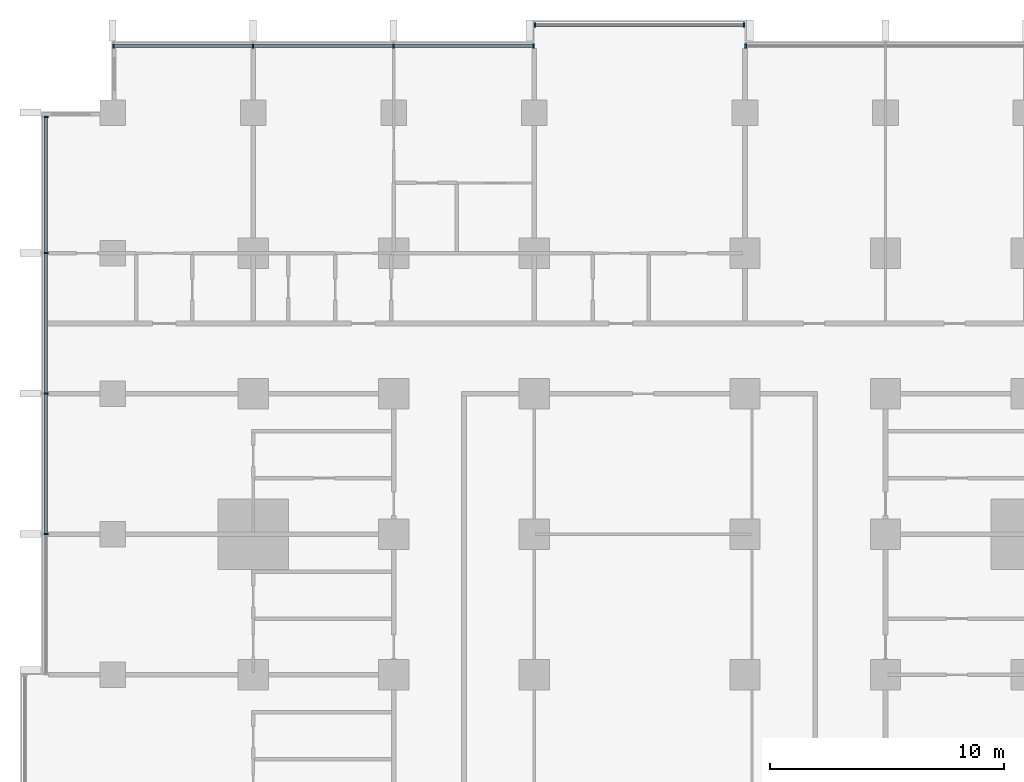
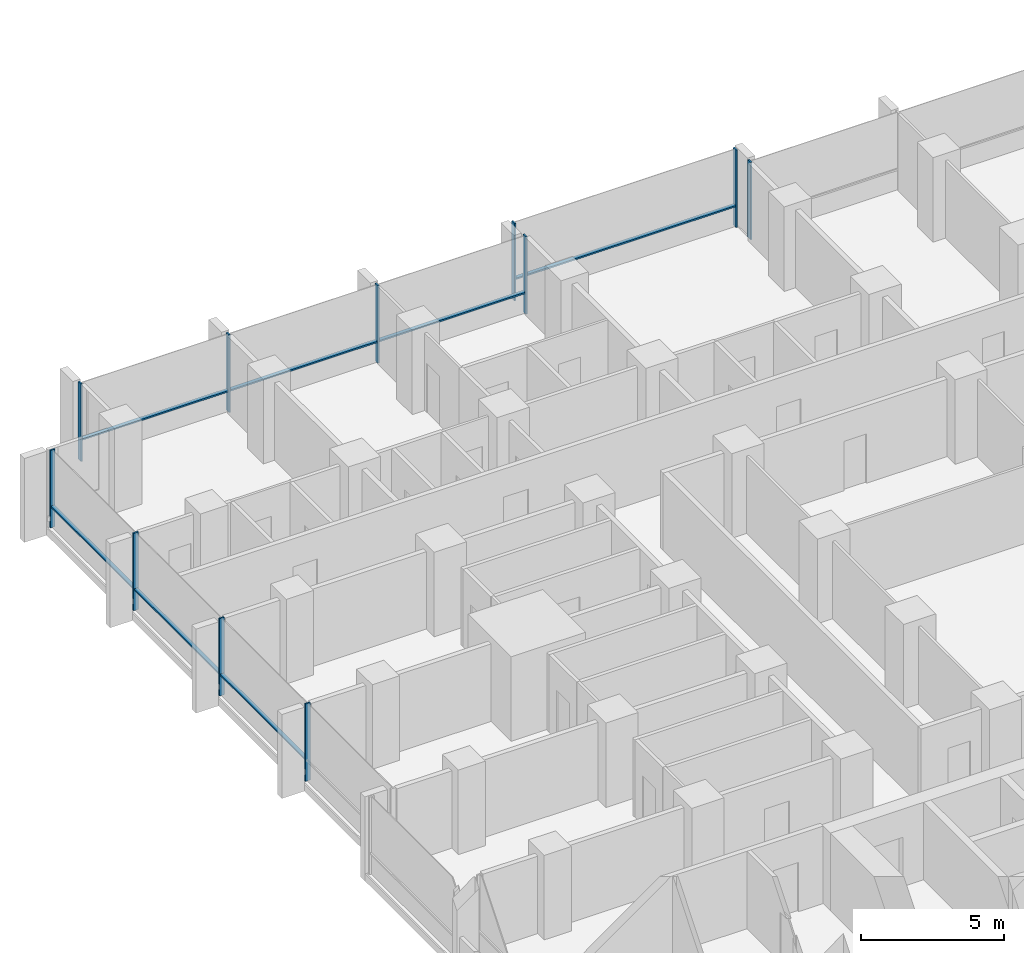
# One storey, part 4 of 17: 18 members, 4 elements without a shape of their own.
"""IFC4 building model written with IfcOpenShell, lengths in metres."""

from ifc_helpers import new_model, si_unit, direction, frame, origin, origin_2d, place, context, subcontext, project, spatial, rectangle, extrude, material, material_profile, profile_set, type_object, element, aggregate, save


model = new_model("IFC4")

# Units and contexts
model_context = context("Model", 3, precision=1e-05, world=origin(), true_north=direction((0.0, 1.0)))
body_context = subcontext(model_context, "Body", "Model", "MODEL_VIEW")
ifc_project = project(units=[si_unit("LENGTHUNIT", "METRE"), si_unit("AREAUNIT", "SQUARE_METRE"), si_unit("VOLUMEUNIT", "CUBIC_METRE"), si_unit("PLANEANGLEUNIT", "RADIAN"), si_unit("MASSUNIT", "GRAM", prefix="KILO")], contexts=[model_context])

# Site, building, storey
site_placement = place(None, origin())
site = spatial("IfcSite", under=ifc_project, at=site_placement, CompositionType="ELEMENT")
building_placement = place(site_placement, origin())
building = spatial("IfcBuilding", under=site, at=building_placement, Name="Finial Court Residences", CompositionType="ELEMENT")
storey_placement = place(building_placement, frame((0.0, 0.0, 64.89990234375)))
storey = spatial("IfcBuildingStorey", under=building, at=storey_placement, Name="L15", CompositionType="ELEMENT", Elevation=64.89990234375)

# Curtain wall, members
ifc_material = material(Name="Bronze anodised aluminium", Category="aluminium")
curtain_wall_type = type_object("IfcCurtainWallType", Name="Unitised curtain wall, lower and middle zones", PredefinedType="NOTDEFINED", material=ifc_material)
curtain_wall_1_placement = place(storey_placement, origin())
curtain_wall_1 = element("IfcCurtainWall", 1, at=curtain_wall_1_placement, inside=storey, type_object=curtain_wall_type, Name="E-L15-CW-N1", PredefinedType="NOTDEFINED")
ifc_material_profile_1 = material_profile(ifc_material, rectangle(XDim=0.199951171875, YDim=0.06494140625, at=origin_2d()), Name="CW1 mullion 65 x 200")
ifc_profile_set_1 = profile_set([ifc_material_profile_1], Name="Bronze anodised aluminium")
member_type_1 = type_object("IfcMemberType", Name="CW1 mullion 65 x 200", PredefinedType="MULLION", material=ifc_profile_set_1)
member_1_placement = place(storey_placement, frame((-22.467529296875, 28.35009765625, 0.0), z_axis=(0.0, 0.0, 1.0), x_axis=(0.0, 1.0, 0.0)))
member_1 = element("IfcMember", 2, at=member_1_placement, type_object=member_type_1, Name="CW1 mullion 1", PredefinedType="MULLION", context=body_context, shape_type="SweptSolid", body=[
    extrude(rectangle(XDim=0.199951171875, YDim=0.06494140625, at=origin_2d()), origin(), (0.0, 0.0, 1.0), 3.300048828125),
])
member_2_placement = place(storey_placement, frame((-16.5, 28.35009765625, 0.0), z_axis=(0.0, 0.0, 1.0), x_axis=(0.0, 1.0, 0.0)))
member_2 = element("IfcMember", 3, at=member_2_placement, type_object=member_type_1, Name="CW1 mullion 2", PredefinedType="MULLION", context=body_context, shape_type="SweptSolid", body=[
    extrude(rectangle(XDim=0.199951171875, YDim=0.06494140625, at=origin_2d()), origin(), (0.0, 0.0, 1.0), 3.300048828125),
])
member_3_placement = place(storey_placement, frame((-10.5, 28.35009765625, 0.0), z_axis=(0.0, 0.0, 1.0), x_axis=(0.0, 1.0, 0.0)))
member_3 = element("IfcMember", 4, at=member_3_placement, type_object=member_type_1, Name="CW1 mullion 3", PredefinedType="MULLION", context=body_context, shape_type="SweptSolid", body=[
    extrude(rectangle(XDim=0.199951171875, YDim=0.06494140625, at=origin_2d()), origin(), (0.0, 0.0, 1.0), 3.300048828125),
])
member_4_placement = place(storey_placement, frame((-4.532470703125, 28.35009765625, 0.0), z_axis=(0.0, 0.0, 1.0), x_axis=(0.0, 1.0, 0.0)))
member_4 = element("IfcMember", 5, at=member_4_placement, type_object=member_type_1, Name="CW1 mullion 4", PredefinedType="MULLION", context=body_context, shape_type="SweptSolid", body=[
    extrude(rectangle(XDim=0.199951171875, YDim=0.06494140625, at=origin_2d()), origin(), (0.0, 0.0, 1.0), 3.300048828125),
])

curtain_wall_2_placement = place(storey_placement, origin())
curtain_wall_2 = element("IfcCurtainWall", 6, at=curtain_wall_2_placement, inside=storey, type_object=curtain_wall_type, Name="E-L15-CW-N2", PredefinedType="NOTDEFINED")
member_5_placement = place(storey_placement, frame((-4.467529296875, 29.25, 0.0), z_axis=(0.0, 0.0, 1.0), x_axis=(0.0, 1.0, 0.0)))
member_5 = element("IfcMember", 7, at=member_5_placement, type_object=member_type_1, Name="CW1 mullion 1", PredefinedType="MULLION", context=body_context, shape_type="SweptSolid", body=[
    extrude(rectangle(XDim=0.199951171875, YDim=0.06494140625, at=origin_2d()), origin(), (0.0, 0.0, 1.0), 3.300048828125),
])
member_6_placement = place(storey_placement, frame((4.467529296875, 29.25, 0.0), z_axis=(0.0, 0.0, 1.0), x_axis=(0.0, 1.0, 0.0)))
member_6 = element("IfcMember", 8, at=member_6_placement, type_object=member_type_1, Name="CW1 mullion 2", PredefinedType="MULLION", context=body_context, shape_type="SweptSolid", body=[
    extrude(rectangle(XDim=0.199951171875, YDim=0.06494140625, at=origin_2d()), origin(), (0.0, 0.0, 1.0), 3.300048828125),
])

# Curtain wall, member
curtain_wall_3_placement = place(storey_placement, origin())
curtain_wall_3 = element("IfcCurtainWall", 9, at=curtain_wall_3_placement, inside=storey, type_object=curtain_wall_type, Name="E-L15-CW-N3", PredefinedType="NOTDEFINED")
member_7_placement = place(storey_placement, frame((4.532470703125, 28.35009765625, 0.0), z_axis=(0.0, 0.0, 1.0), x_axis=(0.0, 1.0, 0.0)))
member_7 = element("IfcMember", 10, at=member_7_placement, type_object=member_type_1, Name="CW1 mullion 1", PredefinedType="MULLION", context=body_context, shape_type="SweptSolid", body=[
    extrude(rectangle(XDim=0.199951171875, YDim=0.06494140625, at=origin_2d()), origin(), (0.0, 0.0, 1.0), 3.300048828125),
])
aggregate(curtain_wall_3, [member_7])

# Curtain wall, members
curtain_wall_4_placement = place(storey_placement, origin())
curtain_wall_4 = element("IfcCurtainWall", 11, at=curtain_wall_4_placement, inside=storey, type_object=curtain_wall_type, Name="E-L15-CW-W12", PredefinedType="NOTDEFINED")
member_8_placement = place(storey_placement, frame((-25.35009765625, 7.5, 0.0), z_axis=(0.0, 0.0, 1.0), x_axis=(-1.0, 0.0, 0.0)))
member_8 = element("IfcMember", 12, at=member_8_placement, type_object=member_type_1, Name="CW1 mullion 2", PredefinedType="MULLION", context=body_context, shape_type="SweptSolid", body=[
    extrude(rectangle(XDim=0.199951171875, YDim=0.06494140625, at=origin_2d()), origin(), (0.0, 0.0, 1.0), 3.300048828125),
])
member_9_placement = place(storey_placement, frame((-25.35009765625, 13.5, 0.0), z_axis=(0.0, 0.0, 1.0), x_axis=(-1.0, 0.0, 0.0)))
member_9 = element("IfcMember", 13, at=member_9_placement, type_object=member_type_1, Name="CW1 mullion 3", PredefinedType="MULLION", context=body_context, shape_type="SweptSolid", body=[
    extrude(rectangle(XDim=0.199951171875, YDim=0.06494140625, at=origin_2d()), origin(), (0.0, 0.0, 1.0), 3.300048828125),
])
member_10_placement = place(storey_placement, frame((-25.35009765625, 19.5, 0.0), z_axis=(0.0, 0.0, 1.0), x_axis=(-1.0, 0.0, 0.0)))
member_10 = element("IfcMember", 14, at=member_10_placement, type_object=member_type_1, Name="CW1 mullion 4", PredefinedType="MULLION", context=body_context, shape_type="SweptSolid", body=[
    extrude(rectangle(XDim=0.199951171875, YDim=0.06494140625, at=origin_2d()), origin(), (0.0, 0.0, 1.0), 3.300048828125),
])
member_11_placement = place(storey_placement, frame((-25.35009765625, 25.3173828125, 0.0), z_axis=(0.0, 0.0, 1.0), x_axis=(-1.0, 0.0, 0.0)))
member_11 = element("IfcMember", 15, at=member_11_placement, type_object=member_type_1, Name="CW1 mullion 5", PredefinedType="MULLION", context=body_context, shape_type="SweptSolid", body=[
    extrude(rectangle(XDim=0.199951171875, YDim=0.06494140625, at=origin_2d()), origin(), (0.0, 0.0, 1.0), 3.300048828125),
])

# Member
ifc_material_profile_2 = material_profile(ifc_material, rectangle(XDim=0.14990234375, YDim=0.06494140625, at=origin_2d()), Name="CW1 transom 65 x 150")
ifc_profile_set_2 = profile_set([ifc_material_profile_2], Name="Bronze anodised aluminium")
member_type_2 = type_object("IfcMemberType", Name="CW1 transom 65 x 150", PredefinedType="USERDEFINED", material=ifc_profile_set_2)
member_12_placement = place(storey_placement, frame((-22.43505859375, 28.35009765625, 0.900146484375), z_axis=(1.0, 0.0, 0.0), x_axis=(0.0, 1.0, 0.0)))
member_12 = element("IfcMember", 16, at=member_12_placement, type_object=member_type_2, Name="CW1 transom 1.1", ObjectType="TRANSOM", PredefinedType="USERDEFINED", context=body_context, shape_type="SweptSolid", body=[
    extrude(rectangle(XDim=0.14990234375, YDim=0.06494140625, at=origin_2d()), origin(), (0.0, 0.0, 1.0), 5.902587890625),
])

member_13_placement = place(storey_placement, frame((-16.467529296875, 28.35009765625, 0.900146484375), z_axis=(1.0, 0.0, 0.0), x_axis=(0.0, 1.0, 0.0)))
member_13 = element("IfcMember", 17, at=member_13_placement, type_object=member_type_2, Name="CW1 transom 2.1", ObjectType="TRANSOM", PredefinedType="USERDEFINED", context=body_context, shape_type="SweptSolid", body=[
    extrude(rectangle(XDim=0.14990234375, YDim=0.06494140625, at=origin_2d()), origin(), (0.0, 0.0, 1.0), 5.93505859375),
])

member_14_placement = place(storey_placement, frame((-10.467529296875, 28.35009765625, 0.900146484375), z_axis=(1.0, 0.0, 0.0), x_axis=(0.0, 1.0, 0.0)))
member_14 = element("IfcMember", 18, at=member_14_placement, type_object=member_type_2, Name="CW1 transom 3.1", ObjectType="TRANSOM", PredefinedType="USERDEFINED", context=body_context, shape_type="SweptSolid", body=[
    extrude(rectangle(XDim=0.14990234375, YDim=0.06494140625, at=origin_2d()), origin(), (0.0, 0.0, 1.0), 5.902587890625),
])

aggregate(curtain_wall_1, [member_1, member_2, member_3, member_4, member_12, member_13, member_14])

member_15_placement = place(storey_placement, frame((-4.43505859375, 29.25, 0.900146484375), z_axis=(1.0, 0.0, 0.0), x_axis=(0.0, 1.0, 0.0)))
member_15 = element("IfcMember", 19, at=member_15_placement, type_object=member_type_2, Name="CW1 transom 1.1", ObjectType="TRANSOM", PredefinedType="USERDEFINED", context=body_context, shape_type="SweptSolid", body=[
    extrude(rectangle(XDim=0.14990234375, YDim=0.06494140625, at=origin_2d()), origin(), (0.0, 0.0, 1.0), 8.8701171875),
])

aggregate(curtain_wall_2, [member_5, member_6, member_15])

member_16_placement = place(storey_placement, frame((-25.35009765625, 7.532470703125, 0.900146484375), z_axis=(0.0, 1.0, 0.0), x_axis=(-1.0, 0.0, 0.0)))
member_16 = element("IfcMember", 20, at=member_16_placement, type_object=member_type_2, Name="CW1 transom 2.1", ObjectType="TRANSOM", PredefinedType="USERDEFINED", context=body_context, shape_type="SweptSolid", body=[
    extrude(rectangle(XDim=0.14990234375, YDim=0.06494140625, at=origin_2d()), origin(), (0.0, 0.0, 1.0), 5.93505859375),
])

member_17_placement = place(storey_placement, frame((-25.35009765625, 13.532470703125, 0.900146484375), z_axis=(0.0, 1.0, 0.0), x_axis=(-1.0, 0.0, 0.0)))
member_17 = element("IfcMember", 21, at=member_17_placement, type_object=member_type_2, Name="CW1 transom 3.1", ObjectType="TRANSOM", PredefinedType="USERDEFINED", context=body_context, shape_type="SweptSolid", body=[
    extrude(rectangle(XDim=0.14990234375, YDim=0.06494140625, at=origin_2d()), origin(), (0.0, 0.0, 1.0), 5.93505859375),
])

member_18_placement = place(storey_placement, frame((-25.35009765625, 19.532470703125, 0.900146484375), z_axis=(0.0, 1.0, 0.0), x_axis=(-1.0, 0.0, 0.0)))
member_18 = element("IfcMember", 22, at=member_18_placement, type_object=member_type_2, Name="CW1 transom 4.1", ObjectType="TRANSOM", PredefinedType="USERDEFINED", context=body_context, shape_type="SweptSolid", body=[
    extrude(rectangle(XDim=0.14990234375, YDim=0.06494140625, at=origin_2d()), origin(), (0.0, 0.0, 1.0), 5.75244140625),
])

aggregate(curtain_wall_4, [member_8, member_9, member_10, member_11, member_16, member_17, member_18])

save(model, "model.ifc")
